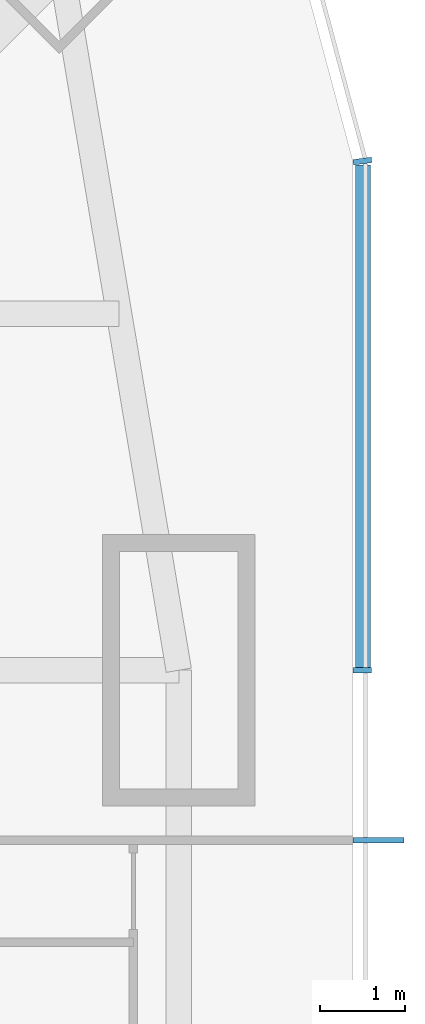
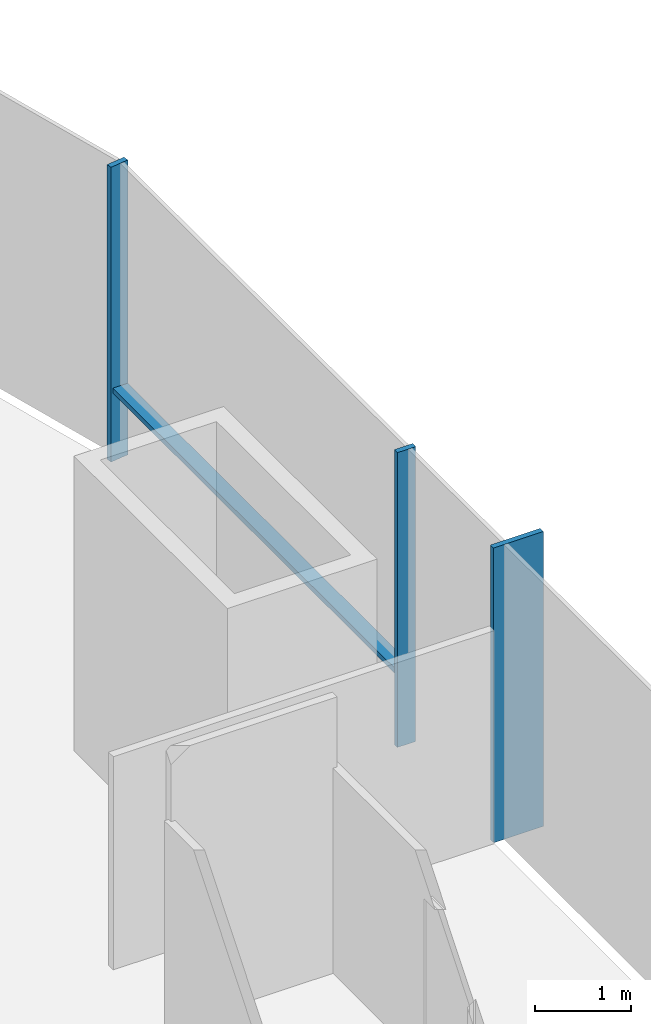
# One storey, part 10 of 20: 4 members, 2 elements without a shape of their own.
"""IFC4 building model written with IfcOpenShell, lengths in metres."""

from ifc_helpers import new_model, si_unit, direction, frame, origin, origin_2d, place, context, subcontext, project, spatial, rectangle, extrude, material, material_profile, profile_set, type_object, element, aggregate, save


model = new_model("IFC4")

# Units and contexts
model_context = context("Model", 3, precision=1e-05, world=origin(), true_north=direction((0.0, 1.0)))
body_context = subcontext(model_context, "Body", "Model", "MODEL_VIEW")
ifc_project = project(units=[si_unit("LENGTHUNIT", "METRE"), si_unit("AREAUNIT", "SQUARE_METRE"), si_unit("VOLUMEUNIT", "CUBIC_METRE"), si_unit("PLANEANGLEUNIT", "RADIAN"), si_unit("MASSUNIT", "GRAM", prefix="KILO")], contexts=[model_context])

# Site, building, storey
site_placement = place(None, origin())
site = spatial("IfcSite", under=ifc_project, at=site_placement, CompositionType="ELEMENT")
building_placement = place(site_placement, origin())
building = spatial("IfcBuilding", under=site, at=building_placement, Name="Khuree Lantern Residences", CompositionType="ELEMENT")
storey_placement = place(building_placement, frame((0.0, 0.0, 28.5)))
storey = spatial("IfcBuildingStorey", under=building, at=storey_placement, Name="L06", CompositionType="ELEMENT", Elevation=28.5)

# Curtain wall, members
ifc_material = material(Name="Bronze anodised aluminium", Category="aluminium")
curtain_wall_type_1 = type_object("IfcCurtainWallType", Name="CW-T1 TOWER FACE CURTAIN WALL", PredefinedType="USERDEFINED", material=ifc_material)
curtain_wall_1_placement = place(storey_placement, origin())
curtain_wall_1 = element("IfcCurtainWall", 1, at=curtain_wall_1_placement, inside=storey, type_object=curtain_wall_type_1, Name="L06 EAST FACE CURTAIN WALL", ObjectType="Stick-built curtain wall", PredefinedType="USERDEFINED")
ifc_material_profile_1 = material_profile(ifc_material, rectangle(XDim=0.06494140625, YDim=0.60009765625, at=origin_2d()), Name="F1 65X600")
ifc_profile_set_1 = profile_set([ifc_material_profile_1], Name="Bronze anodised aluminium")
member_type_1 = type_object("IfcMemberType", Name="F1 BRONZE FIN MULLION TOWER 65X600", PredefinedType="MULLION", material=ifc_profile_set_1)
member_1_placement = place(storey_placement, frame((32.14990234375, 18.0, 0.0), z_axis=(0.0, 0.0, 1.0), x_axis=(0.0, 1.0, 0.0)))
member_1 = element("IfcMember", 2, at=member_1_placement, type_object=member_type_1, Name="L06 EAST FACE FIN MULLION 13", PredefinedType="MULLION", context=body_context, shape_type="SweptSolid", body=[
    extrude(rectangle(XDim=0.06494140625, YDim=0.60009765625, at=origin_2d()), origin(), (0.0, 0.0, 1.0), 3.75),
])
ifc_material_profile_2 = material_profile(ifc_material, rectangle(XDim=0.06494140625, YDim=0.219970703125, at=origin_2d()), Name="M1 65X220")
ifc_profile_set_2 = profile_set([ifc_material_profile_2], Name="Bronze anodised aluminium")
member_type_2 = type_object("IfcMemberType", Name="M1 BRONZE MULLION TOWER 65X220", PredefinedType="MULLION", material=ifc_profile_set_2)
member_2_placement = place(storey_placement, frame((31.9599609375, 20.0, 0.0), z_axis=(0.0, 0.0, 1.0), x_axis=(0.0, 1.0, 0.0)))
member_2 = element("IfcMember", 3, at=member_2_placement, type_object=member_type_2, Name="L06 EAST FACE MULLION 14", PredefinedType="MULLION", context=body_context, shape_type="SweptSolid", body=[
    extrude(rectangle(XDim=0.06494140625, YDim=0.219970703125, at=origin_2d()), origin(), (0.0, 0.0, 1.0), 3.75),
])

# Curtain wall, member
curtain_wall_type_2 = type_object("IfcCurtainWallType", Name="CW-T2 TOWER CORNER CURTAIN WALL", PredefinedType="USERDEFINED", material=ifc_material)
curtain_wall_2_placement = place(storey_placement, origin())
curtain_wall_2 = element("IfcCurtainWall", 4, at=curtain_wall_2_placement, inside=storey, type_object=curtain_wall_type_2, Name="L06 NORTH-EAST CORNER CURTAIN WALL", ObjectType="Faceted corner curtain wall", PredefinedType="USERDEFINED")
member_3_placement = place(storey_placement, frame((31.961669921875, 25.994873046875, 0.0), z_axis=(0.0, 0.0, 1.0), x_axis=(-0.130526257387, 0.991444852794, 0.0)))
member_3 = element("IfcMember", 5, at=member_3_placement, type_object=member_type_2, Name="L06 NORTH-EAST CORNER MULLION 15", PredefinedType="MULLION", context=body_context, shape_type="SweptSolid", body=[
    extrude(rectangle(XDim=0.06494140625, YDim=0.219970703125, at=origin_2d()), origin(), (0.0, 0.0, 1.0), 3.75),
])
aggregate(curtain_wall_2, [member_3])

# Member
ifc_material_profile_3 = material_profile(ifc_material, rectangle(XDim=0.179931640625, YDim=0.06494140625, at=origin_2d()), Name="T1 180X65")
ifc_profile_set_3 = profile_set([ifc_material_profile_3], Name="Bronze anodised aluminium")
member_type_3 = type_object("IfcMemberType", Name="TRANSOM T1 TOWER 180X65", PredefinedType="USERDEFINED", material=ifc_profile_set_3)
member_4_placement = place(storey_placement, frame((31.969970703125, 20.032470703125, 0.89990234375), z_axis=(0.0, 1.0, 0.0), x_axis=(-1.0, 0.0, 0.0)))
member_4 = element("IfcMember", 6, at=member_4_placement, type_object=member_type_3, Name="L06 EAST FACE TRANSOM 14.1", ObjectType="Transom", PredefinedType="USERDEFINED", context=body_context, shape_type="SweptSolid", body=[
    extrude(rectangle(XDim=0.179931640625, YDim=0.06494140625, at=origin_2d()), origin(), (0.0, 0.0, 1.0), 5.9189453125),
])

aggregate(curtain_wall_1, [member_1, member_2, member_4])

save(model, "model.ifc")
